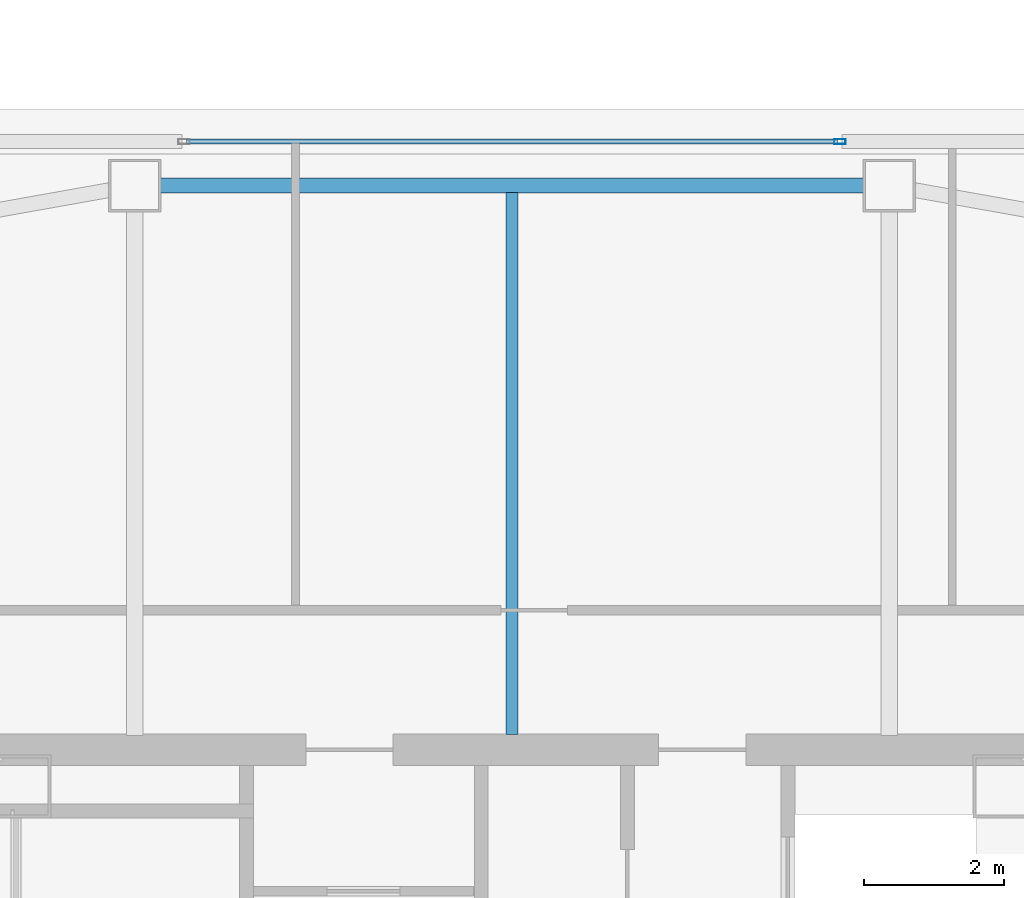
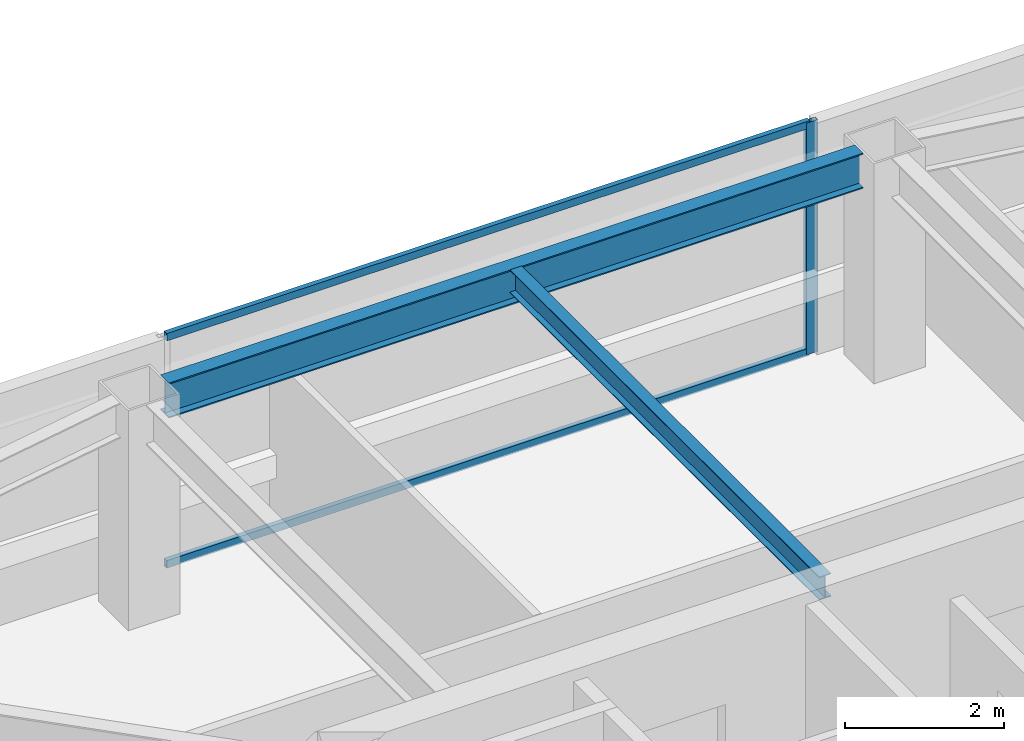
# One storey, part 13 of 39: 3 members, 2 beams, 1 element without a shape of its own.
"""IFC4 building model written with IfcOpenShell, lengths in metres."""

from ifc_helpers import new_model, si_unit, direction, frame, origin, origin_2d, place, context, subcontext, project, spatial, hollow_rectangle, i_section, extrude, material, material_profile, profile_set, type_object, element, aggregate, save


model = new_model("IFC4")

# Units and contexts
model_context = context("Model", 3, precision=1e-05, world=origin(), true_north=direction((0.0, 1.0)))
body_context = subcontext(model_context, "Body", "Model", "MODEL_VIEW")
ifc_project = project(units=[si_unit("LENGTHUNIT", "METRE"), si_unit("AREAUNIT", "SQUARE_METRE"), si_unit("VOLUMEUNIT", "CUBIC_METRE"), si_unit("PLANEANGLEUNIT", "RADIAN"), si_unit("MASSUNIT", "GRAM", prefix="KILO")], contexts=[model_context])

# Site, building, storey
site_placement = place(None, origin())
site = spatial("IfcSite", under=ifc_project, at=site_placement, CompositionType="ELEMENT")
building_placement = place(site_placement, origin())
building = spatial("IfcBuilding", under=site, at=building_placement, Name="Tashvorn Skyway Center", CompositionType="ELEMENT")
storey_placement = place(building_placement, frame((0.0, 0.0, 214.85009765625)))
storey = spatial("IfcBuildingStorey", under=building, at=storey_placement, Name="L58", CompositionType="ELEMENT", Elevation=214.85009765625)

# Beams
ifc_material_1 = material(Name="Steel ASTM A992 Grade 50", Category="steel")
ifc_material_profile_1 = material_profile(ifc_material_1, i_section(OverallWidth=0.1708984375, OverallDepth=0.35498046875, WebThickness=0.007080078125, FlangeThickness=0.01171875, at=origin_2d()), Name="W14X34")
ifc_profile_set_1 = profile_set([ifc_material_profile_1], Name="Steel ASTM A992 Grade 50")
beam_type_1 = type_object("IfcBeamType", Name="BM-JOIST-W14X34", PredefinedType="JOIST", material=ifc_profile_set_1)
beam_1_placement = place(storey_placement, frame((42.0, 39.7900390625, 3.1923828125), z_axis=(0.0, 1.0, 0.0), x_axis=(-1.0, 0.0, 0.0)))
element("IfcBeam", 1, at=beam_1_placement, inside=storey, type_object=beam_type_1, Name="Tower 1 L58 Secondary Composite Joist JN", PredefinedType="JOIST", context=body_context, shape_type="SweptSolid", body=[
    extrude(i_section(OverallWidth=0.1708984375, OverallDepth=0.35498046875, WebThickness=0.007080078125, FlangeThickness=0.01171875, at=origin_2d()), origin(), (0.0, 0.0, 1.0), 7.762451171875),
])
ifc_material_profile_2 = material_profile(ifc_material_1, i_section(OverallWidth=0.2109375, OverallDepth=0.5390625, WebThickness=0.01171875, FlangeThickness=0.018798828125, at=origin_2d()), Name="W21X73")
ifc_profile_set_2 = profile_set([ifc_material_profile_2], Name="Steel ASTM A992 Grade 50")
beam_type_2 = type_object("IfcBeamType", Name="BM-SPANDREL-W21X73", PredefinedType="SPANDREL", material=ifc_profile_set_2)
beam_2_placement = place(storey_placement, frame((47.030029296875, 47.64990234375, 3.100341796875), z_axis=(-1.0, 0.0, 0.0), x_axis=(0.0, -1.0, 0.0)))
element("IfcBeam", 2, at=beam_2_placement, inside=storey, type_object=beam_type_2, Name="Tower 1 L58 Spandrel Beam 08", PredefinedType="SPANDREL", context=body_context, shape_type="SweptSolid", body=[
    extrude(i_section(OverallWidth=0.2109375, OverallDepth=0.5390625, WebThickness=0.01171875, FlangeThickness=0.018798828125, at=origin_2d()), origin(), (0.0, 0.0, 1.0), 10.06005859375),
])

# Curtain wall, members
ifc_material_2 = material(Name="Thermally broken bronze-anodized aluminium 6063-T6", Category="aluminium")
curtain_wall_type = type_object("IfcCurtainWallType", Name="CW-CW-Z5", PredefinedType="NOTDEFINED", material=ifc_material_2)
curtain_wall_placement = place(storey_placement, origin())
curtain_wall = element("IfcCurtainWall", 3, at=curtain_wall_placement, inside=storey, type_object=curtain_wall_type, Name="Tower 1 L58 North Unitised Curtain Wall Glazing Group 2", PredefinedType="NOTDEFINED")
ifc_material_profile_3 = material_profile(ifc_material_2, hollow_rectangle(XDim=0.070068359375, YDim=0.1650390625, WallThickness=0.00390625, at=origin_2d()), Name="ALU-MULL-70x165")
ifc_profile_set_3 = profile_set([ifc_material_profile_3], Name="Thermally broken bronze-anodized aluminium 6063-T6")
member_type_1 = type_object("IfcMemberType", Name="CWM-CW-Z5", PredefinedType="MULLION", material=ifc_profile_set_3)
member_1_placement = place(storey_placement, frame((46.691650390625, 48.280029296875, 0.0), z_axis=(0.0, 0.0, 1.0), x_axis=(0.0, 1.0, 0.0)))
member_1 = element("IfcMember", 4, at=member_1_placement, type_object=member_type_1, Name="CW-Z5 mullion 2", PredefinedType="MULLION", context=body_context, shape_type="SweptSolid", body=[
    extrude(hollow_rectangle(XDim=0.070068359375, YDim=0.1650390625, WallThickness=0.00390625, at=origin_2d()), origin(), (0.0, 0.0, 1.0), 3.5498046875),
])
ifc_material_profile_4 = material_profile(ifc_material_2, hollow_rectangle(XDim=0.070068359375, YDim=0.114990234375, WallThickness=0.00390625, at=origin_2d()), Name="ALU-TRAN-70x115")
ifc_profile_set_4 = profile_set([ifc_material_profile_4], Name="Thermally broken bronze-anodized aluminium 6063-T6")
member_type_2 = type_object("IfcMemberType", Name="CWT-CW-Z5", PredefinedType="USERDEFINED", material=ifc_profile_set_4)
member_2_placement = place(storey_placement, frame((37.34326171875, 48.280029296875, 0.034912109375), z_axis=(1.0, 0.0, 0.0), x_axis=(0.0, 1.0, 0.0)))
member_2 = element("IfcMember", 5, at=member_2_placement, type_object=member_type_2, Name="CW-Z5 transom 1.1", ObjectType="TRANSOM", PredefinedType="USERDEFINED", context=body_context, shape_type="SweptSolid", body=[
    extrude(hollow_rectangle(XDim=0.070068359375, YDim=0.114990234375, WallThickness=0.00390625, at=origin_2d()), origin(), (0.0, 0.0, 1.0), 9.3134765625),
])
member_3_placement = place(storey_placement, frame((37.34326171875, 48.280029296875, 3.514892578125), z_axis=(1.0, 0.0, 0.0), x_axis=(0.0, 1.0, 0.0)))
member_3 = element("IfcMember", 6, at=member_3_placement, type_object=member_type_2, Name="CW-Z5 transom 1.2", ObjectType="TRANSOM", PredefinedType="USERDEFINED", context=body_context, shape_type="SweptSolid", body=[
    extrude(hollow_rectangle(XDim=0.070068359375, YDim=0.114990234375, WallThickness=0.00390625, at=origin_2d()), origin(), (0.0, 0.0, 1.0), 9.3134765625),
])
aggregate(curtain_wall, [member_1, member_2, member_3])

save(model, "model.ifc")
